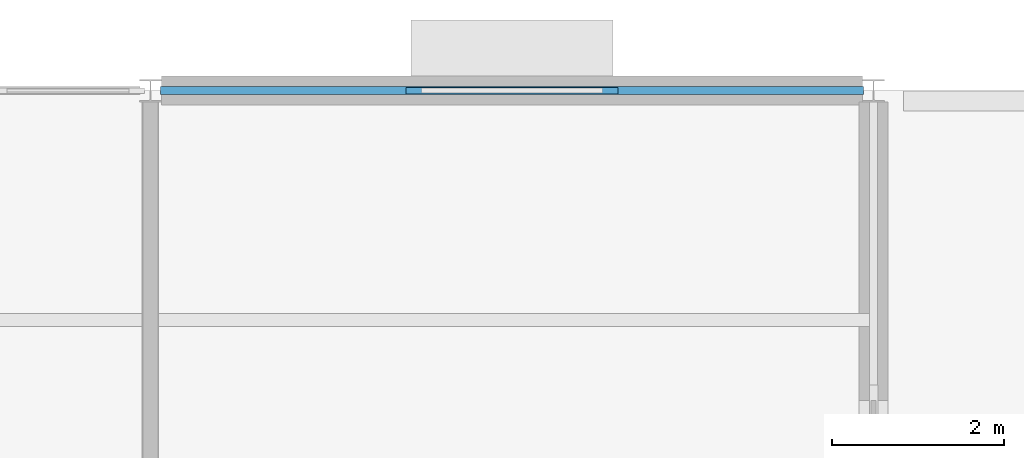
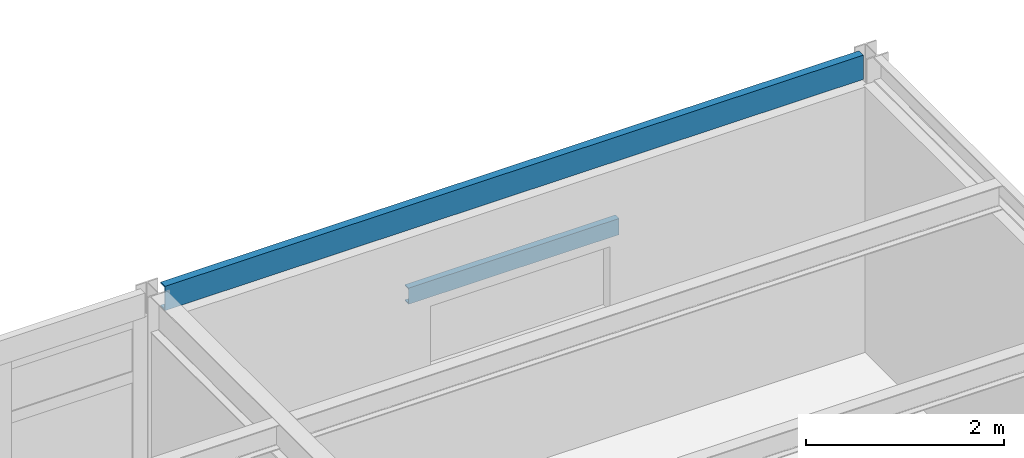
# One storey, part 32 of 53: 2 beams.
"""IFC4 building model written with IfcOpenShell, lengths in metres."""

from ifc_helpers import new_model, si_unit, direction, frame, origin, origin_2d, place, context, subcontext, project, spatial, u_section, extrude, material, material_profile, profile_set, type_object, element, save


model = new_model("IFC4")

# Units and contexts
model_context = context("Model", 3, precision=1e-05, world=origin(), true_north=direction((0.0, 1.0)))
body_context = subcontext(model_context, "Body", "Model", "MODEL_VIEW")
ifc_project = project(units=[si_unit("LENGTHUNIT", "METRE"), si_unit("AREAUNIT", "SQUARE_METRE"), si_unit("VOLUMEUNIT", "CUBIC_METRE"), si_unit("PLANEANGLEUNIT", "RADIAN"), si_unit("MASSUNIT", "GRAM", prefix="KILO")], contexts=[model_context])

# Site, building, storey
site_placement = place(None, origin())
site = spatial("IfcSite", under=ifc_project, at=site_placement, CompositionType="ELEMENT")
building_placement = place(site_placement, origin())
building = spatial("IfcBuilding", under=site, at=building_placement, Name="Kranzveld Transit Interchange", CompositionType="ELEMENT")
storey_placement = place(building_placement, frame((0.0, 0.0, 13.360107421875)))
storey = spatial("IfcBuildingStorey", under=building, at=storey_placement, Name="L03", CompositionType="ELEMENT", Elevation=13.360107421875)

# Beams
ifc_material_1 = material(Name="Steel S355JR", Category="steel")
ifc_material_profile_1 = material_profile(ifc_material_1, u_section(Depth=0.300048828125, FlangeWidth=0.090087890625, WebThickness=0.009033203125, FlangeThickness=0.015380859375, FilletRadius=0.011962890625, at=origin_2d()), Name="PFC 300x90x41")
ifc_profile_set_1 = profile_set([ifc_material_profile_1], Name="Steel S355JR")
beam_type_1 = type_object("IfcBeamType", Name="Edge Spandrel PFC 300x90x41 S355JR", PredefinedType="SPANDREL", material=ifc_profile_set_1)
beam_1_placement = place(storey_placement, frame((151.318115234375, 112.0, 3.429931640625), z_axis=(1.0, 0.0, 0.0), x_axis=(0.0, 1.0, 0.0)))
element("IfcBeam", 1, at=beam_1_placement, inside=storey, type_object=beam_type_1, Name="L03 Girder 19-20/Q", PredefinedType="SPANDREL", context=body_context, shape_type="SweptSolid", body=[
    extrude(u_section(Depth=0.300048828125, FlangeWidth=0.090087890625, WebThickness=0.009033203125, FlangeThickness=0.015380859375, FilletRadius=0.011962890625, at=origin_2d()), origin(), (0.0, 0.0, 1.0), 8.163818359375),
])
ifc_material_2 = material(Name="Steel S355JR", Category="steel")
ifc_material_profile_2 = material_profile(ifc_material_2, u_section(Depth=0.199951171875, FlangeWidth=0.074951171875, WebThickness=0.006103515625, FlangeThickness=0.012451171875, FilletRadius=0.011962890625, at=origin_2d()), Name="PFC 200x75x23")
ifc_profile_set_2 = profile_set([ifc_material_profile_2], Name="Steel S355JR")
beam_type_2 = type_object("IfcBeamType", Name="Masonry Lintel PFC 200x75x23 S355JR", PredefinedType="LINTEL", material=ifc_profile_set_2)
beam_2_placement = place(storey_placement, frame((154.169921875, 112.0, 2.454833984375), z_axis=(1.0, 0.0, 0.0), x_axis=(0.0, 1.0, 0.0)))
element("IfcBeam", 2, at=beam_2_placement, inside=storey, type_object=beam_type_2, Name="L03 Window Lintel 196", PredefinedType="LINTEL", context=body_context, shape_type="SweptSolid", body=[
    extrude(u_section(Depth=0.199951171875, FlangeWidth=0.074951171875, WebThickness=0.006103515625, FlangeThickness=0.012451171875, FilletRadius=0.011962890625, at=origin_2d()), origin(), (0.0, 0.0, 1.0), 2.4599609375),
])

save(model, "model.ifc")
